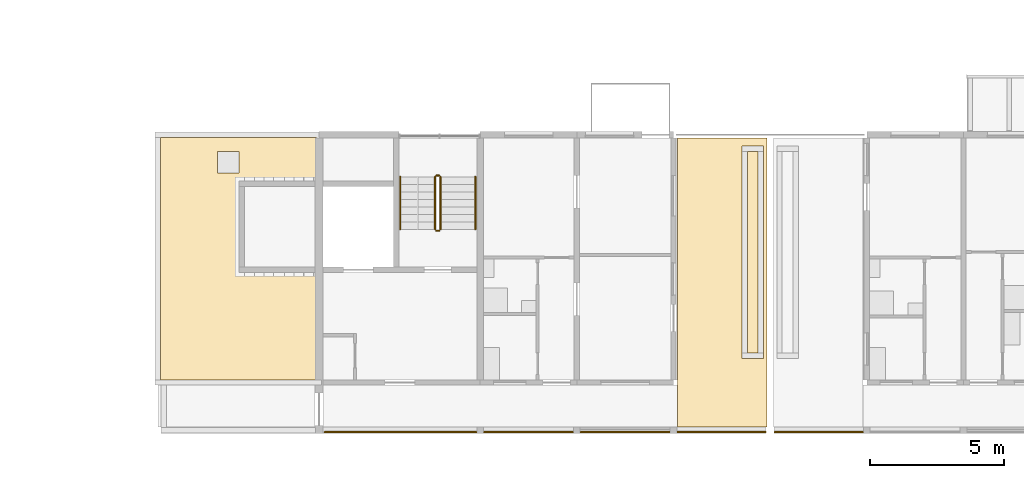
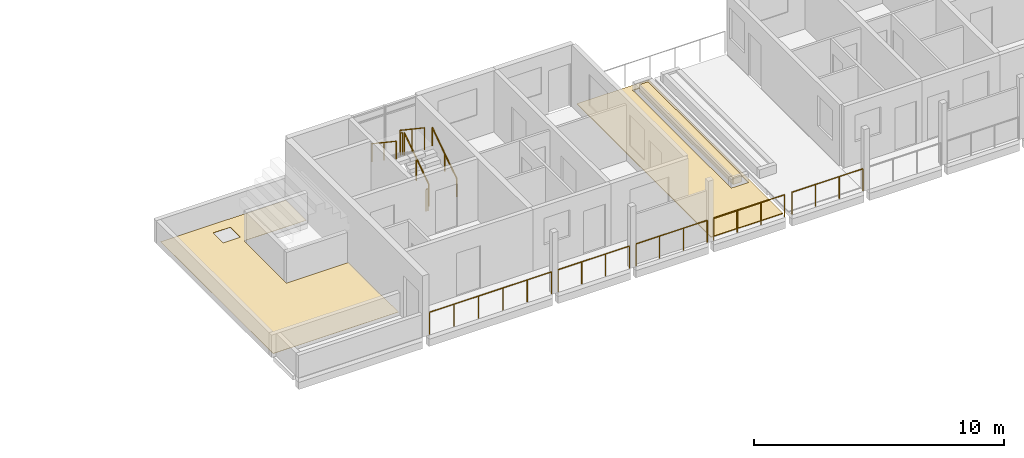
# One storey, part 47 of 55: 11 railings, 4 coverings.
"""IFC4 building model written with IfcOpenShell, lengths in metres."""

import ifcopenshell
import ifcopenshell.guid

model = None  # the IFC model being written
_history = None  # IfcOwnerHistory: only IFC2X3 demands one
_inside = {}  # id of a spatial element -> (the spatial element, [elements in it])
_under = {}  # id of a project, library or spatial element -> (it, [spatial elements below it])
_declared = {}  # id of a project -> (the project, [libraries it declares])
_typed = {}  # id of a type object -> (the type object, [elements of that type])
_made_of = {}  # id of a material, layer set ... -> (it, [elements and type objects made of it])


def new_model(schema):
    """Start an empty IFC model of exactly this schema.

    Asked for "IFC4X3", IfcOpenShell would pick the latest addendum, in which some entities
    have other attributes; the version numbers below select the first issue.
    IFC2X3 requires an IfcOwnerHistory on every rooted entity: one is made here for all.
    """
    global model, _history
    if schema == "IFC4X3":
        model = ifcopenshell.file(schema_version=(4, 3, 0, 0))
    else:
        model = ifcopenshell.file(schema=schema)
    _inside.clear()
    _under.clear()
    _declared.clear()
    _typed.clear()
    _made_of.clear()
    _history = None
    if model.schema == "IFC2X3":
        org = make("IfcOrganization", Name="unknown")
        user = make(
            "IfcPersonAndOrganization",
            ThePerson=make("IfcPerson", FamilyName="unknown"),
            TheOrganization=org,
        )
        app = make(
            "IfcApplication",
            ApplicationDeveloper=org,
            Version="unknown",
            ApplicationFullName="unknown",
            ApplicationIdentifier="unknown",
        )
        _history = make(
            "IfcOwnerHistory",
            OwningUser=user,
            OwningApplication=app,
            ChangeAction="ADDED",
            CreationDate=0,
        )
    return model


def make(cls, **values):
    """One entity of the class cls with the attributes given. An attribute that is None is left unset."""
    return model.create_entity(
        cls, **{name: value for name, value in values.items() if value is not None}
    )


def rooted(cls, **values):
    """An entity with a GlobalId (a new one), such as an element, a storey or a relation."""
    return make(cls, GlobalId=ifcopenshell.guid.new(), OwnerHistory=_history, **values)


def si_unit(unit_type, name, prefix=None):
    """IfcSIUnit, for example si_unit("LENGTHUNIT", "METRE", prefix="MILLI")."""
    return make("IfcSIUnit", UnitType=unit_type, Prefix=prefix, Name=name)


def assignment(units):
    """IfcUnitAssignment: the units of a project."""
    return None if units is None else make("IfcUnitAssignment", Units=units)


def point(xyz):
    """IfcCartesianPoint."""
    return None if xyz is None else make("IfcCartesianPoint", Coordinates=xyz)


def direction(xyz):
    """IfcDirection."""
    return None if xyz is None else make("IfcDirection", DirectionRatios=xyz)


def frame(location, z_axis=None, x_axis=None):
    """IfcAxis2Placement3D, a coordinate frame: its origin and axes. An axis left out is left unset."""
    return make(
        "IfcAxis2Placement3D",
        Location=point(location),
        Axis=direction(z_axis),
        RefDirection=direction(x_axis),
    )


def frame_2d(location, x_axis=None):
    """IfcAxis2Placement2D, a coordinate frame in the plane: its origin and x axis."""
    return make(
        "IfcAxis2Placement2D", Location=point(location), RefDirection=direction(x_axis)
    )


def origin():
    """The frame at (0, 0, 0) with its axes left unset."""
    return frame((0.0, 0.0, 0.0))


def origin_2d():
    """The frame at (0, 0) in the plane with its x axis left unset."""
    return frame_2d((0.0, 0.0))


def place(relative_to, where):
    """IfcLocalPlacement: puts the frame where relative to a parent placement (None: the world)."""
    return make(
        "IfcLocalPlacement", PlacementRelTo=relative_to, RelativePlacement=where
    )


def context(
    kind, dimensions, precision=None, world=None, true_north=None, identifier=None
):
    """IfcGeometricRepresentationContext, for example the 3D "Model" context."""
    return make(
        "IfcGeometricRepresentationContext",
        ContextIdentifier=identifier,
        ContextType=kind,
        CoordinateSpaceDimension=dimensions,
        Precision=precision,
        WorldCoordinateSystem=world,
        TrueNorth=true_north,
    )


def subcontext(parent, identifier, kind, view, scale=None):
    """IfcGeometricRepresentationSubContext, for example "Body" below "Model"."""
    return make(
        "IfcGeometricRepresentationSubContext",
        ContextIdentifier=identifier,
        ContextType=kind,
        ParentContext=parent,
        TargetScale=scale,
        TargetView=view,
    )


def project(units=None, contexts=None):
    """IfcProject with its units and contexts."""
    return rooted(
        "IfcProject",
        Name="project",
        RepresentationContexts=contexts,
        UnitsInContext=assignment(units),
    )


def spatial(cls, under=None, at=None, **own):
    """A site, building, storey or space (cls), placed at a placement, below another one or the project."""
    s = rooted(cls, ObjectPlacement=at, **own)
    if under is not None:
        _under.setdefault(under.id(), (under, []))[1].append(s)
    return s


def polyline(points):
    """IfcPolyline through the points."""
    return make("IfcPolyline", Points=[point(p) for p in points])


def profile(cls, at=None, kind="AREA", **sizes):
    """A parametric profile (cls). Its sizes go by their IFC names, for example OverallWidth=200.0."""
    return make(cls, ProfileType=kind, Position=at, **sizes)


def circle(**sizes):
    """IfcCircleProfileDef."""
    return profile("IfcCircleProfileDef", **sizes)


def outline(outer, holes=None, kind="AREA"):
    """IfcArbitraryClosedProfileDef: a profile drawn as a closed curve; with holes, ...WithVoids."""
    if holes is None:
        return make("IfcArbitraryClosedProfileDef", ProfileType=kind, OuterCurve=outer)
    return make(
        "IfcArbitraryProfileDefWithVoids",
        ProfileType=kind,
        OuterCurve=outer,
        InnerCurves=holes,
    )


def extrude(swept, where, along, depth):
    """IfcExtrudedAreaSolid: the profile swept, set in the frame where, extruded along a direction by depth."""
    return make(
        "IfcExtrudedAreaSolid",
        SweptArea=swept,
        Position=where,
        ExtrudedDirection=direction(along),
        Depth=depth,
    )


def shape(context_of_items, identifier, shape_type, items):
    """IfcShapeRepresentation: the items that make up one representation, for example the "Body"."""
    return make(
        "IfcShapeRepresentation",
        ContextOfItems=context_of_items,
        RepresentationIdentifier=identifier,
        RepresentationType=shape_type,
        Items=items,
    )


def material(Name=None, Category=None):
    """IfcMaterial."""
    return make("IfcMaterial", Name=Name, Category=Category)


def layer(
    of_material, thickness, ventilated=None, Name=None, Category=None, Priority=None
):
    """IfcMaterialLayer: one layer of a wall or slab, of a material (None: an air gap)."""
    return make(
        "IfcMaterialLayer",
        Material=of_material,
        LayerThickness=thickness,
        IsVentilated=ventilated,
        Name=Name,
        Category=Category,
        Priority=Priority,
    )


def layer_set(layers, Name=None):
    """IfcMaterialLayerSet."""
    return make("IfcMaterialLayerSet", MaterialLayers=layers, LayerSetName=Name)


def made_of(thing, what):
    """Note that an element or type object is made of a material, layer set ...; save() writes the relation."""
    if what is not None:
        _made_of.setdefault(what.id(), (what, []))[1].append(thing)
    return thing


def type_object(cls, material=None, **own):
    """A type object (cls), such as IfcWallType, which elements share."""
    return made_of(rooted(cls, **own), material)


def element(
    cls,
    number,
    at=None,
    inside=None,
    cuts=None,
    type_object=None,
    material=None,
    context=None,
    identifier="Body",
    shape_type=None,
    held_by="IfcProductDefinitionShape",
    body=None,
    shapes=None,
    **own,
):
    """One element of the class cls, such as IfcWall. Its Tag is "e" and its number.

    at: its placement. inside: the storey or other place that contains it. cuts: it is an
    opening in that element (IfcRelVoidsElement). A single representation is given by context,
    identifier, shape_type and body (its items); several are given by shapes. held_by: the class
    of the entity that holds the representations. save() writes the other relations.
    """
    e = rooted(cls, Tag="e%d" % number, ObjectPlacement=at, **own)
    if body is not None:
        shapes = [shape(context, identifier, shape_type, body)]
    if shapes is not None:
        e.Representation = make(held_by, Representations=shapes)
    if inside is not None:
        _inside.setdefault(inside.id(), (inside, []))[1].append(e)
    if cuts is not None:
        rooted(
            "IfcRelVoidsElement", RelatingBuildingElement=cuts, RelatedOpeningElement=e
        )
    if type_object is not None:
        _typed.setdefault(type_object.id(), (type_object, []))[1].append(e)
    return made_of(e, material)


def aggregate(whole, parts):
    """IfcRelAggregates: a whole, such as a stair, and the parts it consists of."""
    return rooted("IfcRelAggregates", RelatingObject=whole, RelatedObjects=parts)


def save(model, path):
    """Write the relations noted so far, then the file.

    IfcRelAggregates (storeys below a building ...), IfcRelContainedInSpatialStructure (elements
    in a storey), IfcRelDefinesByType, IfcRelAssociatesMaterial and IfcRelDeclares: one each for
    every whole, place, type object, material and project.
    """
    for whole, parts in _under.values():
        aggregate(whole, parts)
    for where, things in _inside.values():
        rooted(
            "IfcRelContainedInSpatialStructure",
            RelatedElements=things,
            RelatingStructure=where,
        )
    for kind, things in _typed.values():
        rooted("IfcRelDefinesByType", RelatedObjects=things, RelatingType=kind)
    for what, things in _made_of.values():
        rooted("IfcRelAssociatesMaterial", RelatedObjects=things, RelatingMaterial=what)
    for by, libraries in _declared.values():
        rooted("IfcRelDeclares", RelatingContext=by, RelatedDefinitions=libraries)
    model.write(path)


model = new_model("IFC4")

# Units and contexts
model_context = context("Model", 3, precision=1e-05, world=origin(), true_north=direction((0.0, 1.0)))
body_context = subcontext(model_context, "Body", "Model", "MODEL_VIEW")
ifc_project = project(units=[si_unit("LENGTHUNIT", "METRE"), si_unit("AREAUNIT", "SQUARE_METRE"), si_unit("VOLUMEUNIT", "CUBIC_METRE"), si_unit("PLANEANGLEUNIT", "RADIAN"), si_unit("MASSUNIT", "GRAM", prefix="KILO")], contexts=[model_context])

# Site, building, storey
site_placement = place(None, origin())
site = spatial("IfcSite", under=ifc_project, at=site_placement, CompositionType="ELEMENT")
building_placement = place(site_placement, origin())
building = spatial("IfcBuilding", under=site, at=building_placement, Name="Ridgestep Commons", CompositionType="ELEMENT")
storey_placement = place(building_placement, frame((0.0, 0.0, 36.0)))
storey = spatial("IfcBuildingStorey", under=building, at=storey_placement, Name="L12", CompositionType="ELEMENT", Elevation=36.0)

# Railings
ifc_material_1 = material(Name="Structural steel S355JR", Category="steel")
railing_type_1 = type_object("IfcRailingType", Name="Guard 1100", PredefinedType="GUARDRAIL", material=ifc_material_1)
railing_1_placement = place(storey_placement, frame((163.81103515625, 11.800048828125, 0.0)))
element("IfcRailing", 1, at=railing_1_placement, inside=storey, type_object=railing_type_1, Name="Gallery guard D 12.2", PredefinedType="GUARDRAIL", context=body_context, shape_type="SweptSolid", body=[
    extrude(circle(Radius=0.02392578125, at=origin_2d()), frame((0.0, 0.0, 1.076171875), z_axis=(1.0, 0.0, 0.0), x_axis=(0.0, 1.0, 0.0)), (0.0, 0.0, 1.0), 5.64306640625),
    extrude(circle(Radius=0.02099609375, at=origin_2d()), origin(), (0.0, 0.0, 1.0), 1.052001953125),
    extrude(circle(Radius=0.02099609375, at=origin_2d()), frame((1.128662109375, 0.0, 0.0)), (0.0, 0.0, 1.0), 1.052001953125),
    extrude(circle(Radius=0.02099609375, at=origin_2d()), frame((2.25732421875, 0.0, 0.0)), (0.0, 0.0, 1.0), 1.052001953125),
    extrude(circle(Radius=0.02099609375, at=origin_2d()), frame((3.3857421875, 0.0, 0.0)), (0.0, 0.0, 1.0), 1.052001953125),
    extrude(circle(Radius=0.02099609375, at=origin_2d()), frame((4.514404296875, 0.0, 0.0)), (0.0, 0.0, 1.0), 1.052001953125),
    extrude(circle(Radius=0.02099609375, at=origin_2d()), frame((5.64306640625, 0.0, 0.0)), (0.0, 0.0, 1.0), 1.052001953125),
])
railing_2_placement = place(storey_placement, frame((169.74609375, 11.800048828125, 0.0)))
element("IfcRailing", 2, at=railing_2_placement, inside=storey, type_object=railing_type_1, Name="Gallery guard D 12.3", PredefinedType="GUARDRAIL", context=body_context, shape_type="SweptSolid", body=[
    extrude(circle(Radius=0.02392578125, at=origin_2d()), frame((0.0, 0.0, 1.076171875), z_axis=(1.0, 0.0, 0.0), x_axis=(0.0, 1.0, 0.0)), (0.0, 0.0, 1.0), 3.307861328125),
    extrude(circle(Radius=0.02099609375, at=origin_2d()), origin(), (0.0, 0.0, 1.0), 1.052001953125),
    extrude(circle(Radius=0.02099609375, at=origin_2d()), frame((1.1025390625, 0.0, 0.0)), (0.0, 0.0, 1.0), 1.052001953125),
    extrude(circle(Radius=0.02099609375, at=origin_2d()), frame((2.205322265625, 0.0, 0.0)), (0.0, 0.0, 1.0), 1.052001953125),
    extrude(circle(Radius=0.02099609375, at=origin_2d()), frame((3.307861328125, 0.0, 0.0)), (0.0, 0.0, 1.0), 1.052001953125),
])
railing_3_placement = place(storey_placement, frame((173.345947265625, 11.800048828125, 0.0)))
element("IfcRailing", 3, at=railing_3_placement, inside=storey, type_object=railing_type_1, Name="Gallery guard D 12.4", PredefinedType="GUARDRAIL", context=body_context, shape_type="SweptSolid", body=[
    extrude(circle(Radius=0.02392578125, at=origin_2d()), frame((0.0, 0.0, 1.076171875), z_axis=(1.0, 0.0, 0.0), x_axis=(0.0, 1.0, 0.0)), (0.0, 0.0, 1.0), 3.30810546875),
    extrude(circle(Radius=0.02099609375, at=origin_2d()), origin(), (0.0, 0.0, 1.0), 1.052001953125),
    extrude(circle(Radius=0.02099609375, at=origin_2d()), frame((1.102783203125, 0.0, 0.0)), (0.0, 0.0, 1.0), 1.052001953125),
    extrude(circle(Radius=0.02099609375, at=origin_2d()), frame((2.205322265625, 0.0, 0.0)), (0.0, 0.0, 1.0), 1.052001953125),
    extrude(circle(Radius=0.02099609375, at=origin_2d()), frame((3.30810546875, 0.0, 0.0)), (0.0, 0.0, 1.0), 1.052001953125),
])
for number, where, name in (
    (4, (176.946044921875, 11.800048828125, 0.0), "Gallery guard D 12.5"),
    (5, (180.571044921875, 11.800048828125, 0.0), "Gallery guard D 12.6"),
):
    element("IfcRailing", number, at=place(storey_placement, frame(where)), inside=storey, type_object=railing_type_1, Name=name, PredefinedType="GUARDRAIL", context=body_context, shape_type="SweptSolid", body=[
        extrude(circle(Radius=0.02392578125, at=origin_2d()), frame((0.0, 0.0, 1.076171875), z_axis=(1.0, 0.0, 0.0), x_axis=(0.0, 1.0, 0.0)), (0.0, 0.0, 1.0), 3.282958984375),
        extrude(circle(Radius=0.02099609375, at=origin_2d()), origin(), (0.0, 0.0, 1.0), 1.052001953125),
        extrude(circle(Radius=0.02099609375, at=origin_2d()), frame((1.09423828125, 0.0, 0.0)), (0.0, 0.0, 1.0), 1.052001953125),
        extrude(circle(Radius=0.02099609375, at=origin_2d()), frame((2.188720703125, 0.0, 0.0)), (0.0, 0.0, 1.0), 1.052001953125),
        extrude(circle(Radius=0.02099609375, at=origin_2d()), frame((3.282958984375, 0.0, 0.0)), (0.0, 0.0, 1.0), 1.052001953125),
    ])

# Coverings
ifc_material_2 = material(Name="Planting soil")
ifc_layer_1 = layer(ifc_material_2, 0.35009765625)
ifc_layer_set_1 = layer_set([ifc_layer_1], Name="Planting soil 350")
covering_type_1 = type_object("IfcCoveringType", Name="Planting soil 350", PredefinedType="FLOORING", material=ifc_layer_set_1)
covering_1_placement = place(storey_placement, frame((0.0, 0.0, 0.010009765625)))
element("IfcCovering", 6, at=covering_1_placement, inside=storey, type_object=covering_type_1, Name="Planting soil D2R1", PredefinedType="FLOORING", context=body_context, shape_type="SweptSolid", body=[
    extrude(outline(polyline([(179.550048828125, 14.75), (179.949951171875, 14.75), (179.949951171875, 22.25), (179.550048828125, 22.25), (179.550048828125, 14.75)])), origin(), (0.0, 0.0, 1.0), 0.35009765625),
])
ifc_material_3 = material(Name="Bitumen membrane, two layer")
ifc_layer_2 = layer(ifc_material_3, 0.011962890625)
ifc_layer_set_2 = layer_set([ifc_layer_2], Name="Roof membrane 12")
covering_type_2 = type_object("IfcCoveringType", Name="Roof membrane 12", PredefinedType="ROOFING", material=ifc_layer_set_2)
covering_2_placement = place(storey_placement, origin())
element("IfcCovering", 7, at=covering_2_placement, inside=storey, type_object=covering_type_2, Name="Roof membrane D1C", PredefinedType="ROOFING", context=body_context, shape_type="SweptSolid", body=[
    extrude(outline(polyline([(157.699951171875, 13.75), (157.699951171875, 22.77490234375), (163.5, 22.77490234375), (163.5, 21.14990234375), (160.625, 21.14990234375), (160.625, 17.75), (163.5, 17.75), (163.5, 13.75), (157.699951171875, 13.75)]), holes=[polyline([(160.625, 22.25), (159.824951171875, 22.25), (159.824951171875, 21.449951171875), (160.625, 21.449951171875), (160.625, 22.25)])]), origin(), (0.0, 0.0, 1.0), 0.011962890625),
])

# Railings
ifc_material_4 = material(Name="Structural steel S355JR", Category="steel")
railing_type_2 = type_object("IfcRailingType", Name="Stair guard 1100", PredefinedType="GUARDRAIL", material=ifc_material_4)
railing_4_placement = place(storey_placement, frame((168.125, 19.35009765625, 0.1875)))
element("IfcRailing", 8, at=railing_4_placement, inside=storey, type_object=railing_type_2, Name="L12 D2C stair guard 1", PredefinedType="GUARDRAIL", context=body_context, shape_type="SweptSolid", body=[
    extrude(circle(Radius=0.02392578125, at=origin_2d()), frame((0.0, 0.0, 1.076171875), z_axis=(0.0, 0.830902050051, 0.556418712142), x_axis=(-1.0, 0.0, 0.0)), (0.0, 0.0, 1.0), 2.35888671875),
    extrude(circle(Radius=0.02099609375, at=origin_2d()), origin(), (0.0, 0.0, 1.0), 1.052001953125),
    extrude(circle(Radius=0.02099609375, at=origin_2d()), frame((0.0, 0.97998046875, 0.65625)), (0.0, 0.0, 1.0), 1.052001953125),
    extrude(circle(Radius=0.02099609375, at=origin_2d()), frame((0.0, 1.9599609375, 1.3125)), (0.0, 0.0, 1.0), 1.052001953125),
])
railing_5_placement = place(storey_placement, frame((168.074951171875, 21.360107421875, 1.5)))
element("IfcRailing", 9, at=railing_5_placement, inside=storey, type_object=railing_type_2, Name="L12 D2C stair guard 2", PredefinedType="GUARDRAIL", context=body_context, shape_type="SweptSolid", body=[
    extrude(circle(Radius=0.02392578125, at=origin_2d()), frame((0.0, 0.0, 1.076171875), z_axis=(-1.0, 0.0, 0.0), x_axis=(0.0, -1.0, 0.0)), (0.0, 0.0, 1.0), 0.099853515625),
    extrude(circle(Radius=0.02099609375, at=origin_2d()), origin(), (0.0, 0.0, 1.0), 1.052001953125),
    extrude(circle(Radius=0.02099609375, at=origin_2d()), frame((-0.099853515625, 0.0, 0.0)), (0.0, 0.0, 1.0), 1.052001953125),
])
railing_6_placement = place(storey_placement, frame((167.925048828125, 21.31005859375, 1.6875)))
element("IfcRailing", 10, at=railing_6_placement, inside=storey, type_object=railing_type_2, Name="L12 D2C stair guard 3", PredefinedType="GUARDRAIL", context=body_context, shape_type="SweptSolid", body=[
    extrude(circle(Radius=0.02392578125, at=origin_2d()), frame((0.0, 0.0, 1.076171875), z_axis=(0.0, -0.830902050051, 0.556418712142), x_axis=(1.0, 0.0, 0.0)), (0.0, 0.0, 1.0), 2.35888671875),
    extrude(circle(Radius=0.02099609375, at=origin_2d()), origin(), (0.0, 0.0, 1.0), 1.052001953125),
    extrude(circle(Radius=0.02099609375, at=origin_2d()), frame((0.0, -0.97998046875, 0.65625)), (0.0, 0.0, 1.0), 1.052001953125),
    extrude(circle(Radius=0.02099609375, at=origin_2d()), frame((0.0, -1.9599609375, 1.3125)), (0.0, 0.0, 1.0), 1.052001953125),
])
railing_7_placement = place(storey_placement, frame((168.074951171875, 19.300048828125, 0.0)))
element("IfcRailing", 11, at=railing_7_placement, inside=storey, type_object=railing_type_2, Name="L12 D2C stair guard 4", PredefinedType="GUARDRAIL", context=body_context, shape_type="SweptSolid", body=[
    extrude(circle(Radius=0.02392578125, at=origin_2d()), frame((0.0, 0.0, 1.076171875), z_axis=(-1.0, 0.0, 0.0), x_axis=(0.0, -1.0, 0.0)), (0.0, 0.0, 1.0), 0.099853515625),
    extrude(circle(Radius=0.02099609375, at=origin_2d()), origin(), (0.0, 0.0, 1.0), 1.052001953125),
    extrude(circle(Radius=0.02099609375, at=origin_2d()), frame((-0.099853515625, 0.0, 0.0)), (0.0, 0.0, 1.0), 1.052001953125),
])
ifc_material_5 = material(Name="Structural steel S355JR", Category="steel")
railing_type_3 = type_object("IfcRailingType", Name="Stair handrail 900", PredefinedType="HANDRAIL", material=ifc_material_5)
railing_8_placement = place(storey_placement, frame((169.425048828125, 19.35009765625, 0.1875)))
element("IfcRailing", 12, at=railing_8_placement, inside=storey, type_object=railing_type_3, Name="L12 D2C stair handrail 1", PredefinedType="HANDRAIL", context=body_context, shape_type="SweptSolid", body=[
    extrude(circle(Radius=0.02392578125, at=origin_2d()), frame((0.0, 0.0, 0.8759765625), z_axis=(0.0, 0.830902050051, 0.556418712142), x_axis=(-1.0, 0.0, 0.0)), (0.0, 0.0, 1.0), 2.35888671875),
    extrude(circle(Radius=0.02099609375, at=origin_2d()), origin(), (0.0, 0.0, 1.0), 0.851806640625),
    extrude(circle(Radius=0.02099609375, at=origin_2d()), frame((0.0, 0.97998046875, 0.65625)), (0.0, 0.0, 1.0), 0.851806640625),
    extrude(circle(Radius=0.02099609375, at=origin_2d()), frame((0.0, 1.9599609375, 1.3125)), (0.0, 0.0, 1.0), 0.851806640625),
])
railing_9_placement = place(storey_placement, frame((166.625, 21.31005859375, 1.6875)))
element("IfcRailing", 13, at=railing_9_placement, inside=storey, type_object=railing_type_3, Name="L12 D2C stair handrail 2", PredefinedType="HANDRAIL", context=body_context, shape_type="SweptSolid", body=[
    extrude(circle(Radius=0.02392578125, at=origin_2d()), frame((0.0, 0.0, 0.8759765625), z_axis=(0.0, -0.830902050051, 0.556418712142), x_axis=(1.0, 0.0, 0.0)), (0.0, 0.0, 1.0), 2.35888671875),
    extrude(circle(Radius=0.02099609375, at=origin_2d()), origin(), (0.0, 0.0, 1.0), 0.851806640625),
    extrude(circle(Radius=0.02099609375, at=origin_2d()), frame((0.0, -0.97998046875, 0.65625)), (0.0, 0.0, 1.0), 0.851806640625),
    extrude(circle(Radius=0.02099609375, at=origin_2d()), frame((0.0, -1.9599609375, 1.3125)), (0.0, 0.0, 1.0), 0.851806640625),
])

# Coverings
ifc_material_6 = material(Name="Bitumen membrane, two layer")
ifc_layer_3 = layer(ifc_material_6, 0.010009765625)
ifc_layer_set_3 = layer_set([ifc_layer_3], Name="Terrace membrane 10")
covering_type_3 = type_object("IfcCoveringType", Name="Terrace membrane 10", PredefinedType="ROOFING", material=ifc_layer_set_3)
covering_3_placement = place(storey_placement, origin())
element("IfcCovering", 14, at=covering_3_placement, inside=storey, type_object=covering_type_3, Name="Terrace membrane D2R1", PredefinedType="ROOFING", context=body_context, shape_type="SweptSolid", body=[
    extrude(outline(polyline([(180.27490234375, 12.0), (180.27490234375, 22.75), (176.949951171875, 22.75), (176.949951171875, 12.0), (180.27490234375, 12.0)]), holes=[polyline([(180.14990234375, 14.550048828125), (180.14990234375, 22.449951171875), (179.35009765625, 22.449951171875), (179.35009765625, 14.550048828125), (180.14990234375, 14.550048828125)])]), origin(), (0.0, 0.0, 1.0), 0.010009765625),
])
ifc_material_7 = material(Name="Concrete paving slab", Category="concrete")
ifc_layer_4 = layer(ifc_material_7, 0.030029296875)
ifc_layer_set_4 = layer_set([ifc_layer_4], Name="Terrace paving 30")
covering_type_4 = type_object("IfcCoveringType", Name="Terrace paving 30", PredefinedType="FLOORING", material=ifc_layer_set_4)
covering_4_placement = place(storey_placement, frame((0.0, 0.0, 0.010009765625)))
element("IfcCovering", 15, at=covering_4_placement, inside=storey, type_object=covering_type_4, Name="Terrace paving D2R1", PredefinedType="FLOORING", context=body_context, shape_type="SweptSolid", body=[
    extrude(outline(polyline([(180.27490234375, 12.0), (180.27490234375, 22.75), (176.949951171875, 22.75), (176.949951171875, 12.0), (180.27490234375, 12.0)]), holes=[polyline([(180.14990234375, 14.550048828125), (180.14990234375, 22.449951171875), (179.35009765625, 22.449951171875), (179.35009765625, 14.550048828125), (180.14990234375, 14.550048828125)])]), origin(), (0.0, 0.0, 1.0), 0.030029296875),
])

save(model, "model.ifc")
